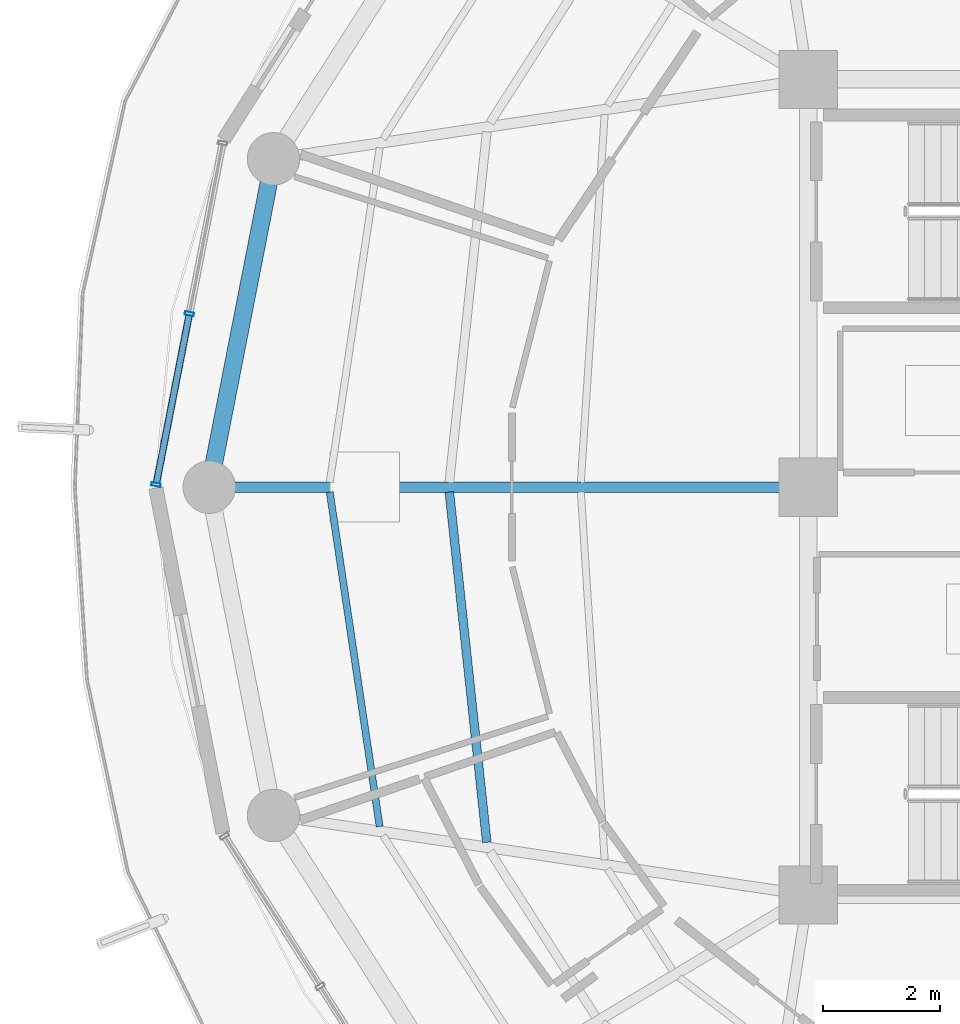
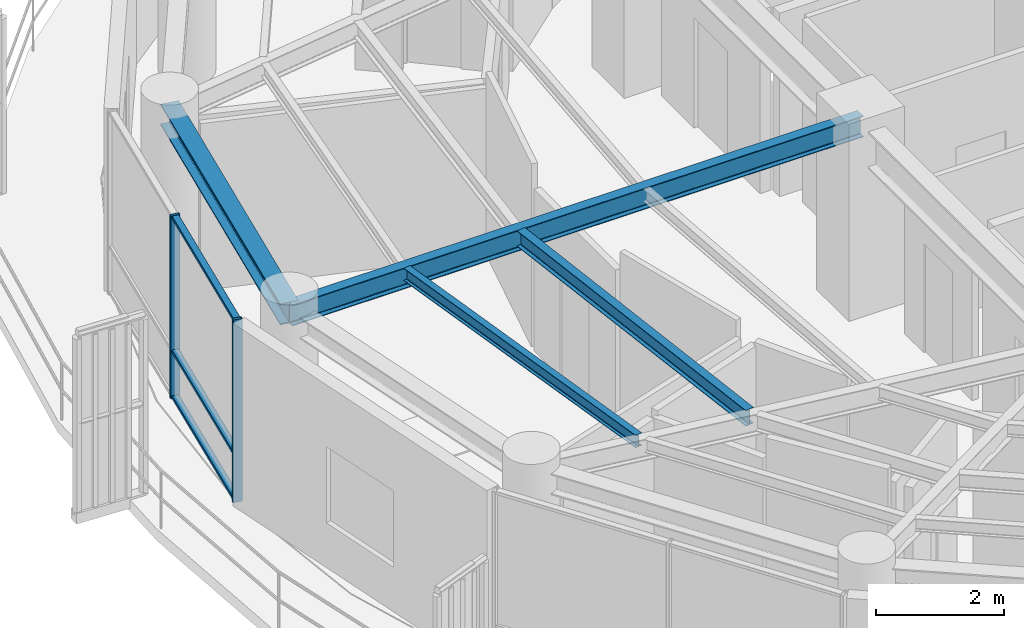
# One storey, part 6 of 23: 5 members, 4 beams, 1 element without a shape of its own.
"""IFC4 building model written with IfcOpenShell, lengths in metres."""

from ifc_helpers import new_model, si_unit, direction, frame, origin, origin_2d, place, context, subcontext, project, spatial, hollow_rectangle, i_section, extrude, material, layer, layer_set, material_profile, profile_set, type_object, element, aggregate, save


model = new_model("IFC4")

# Units and contexts
model_context = context("Model", 3, precision=1e-05, world=origin(), true_north=direction((0.0, 1.0)))
body_context = subcontext(model_context, "Body", "Model", "MODEL_VIEW")
ifc_project = project(units=[si_unit("LENGTHUNIT", "METRE"), si_unit("AREAUNIT", "SQUARE_METRE"), si_unit("VOLUMEUNIT", "CUBIC_METRE"), si_unit("PLANEANGLEUNIT", "RADIAN"), si_unit("MASSUNIT", "GRAM", prefix="KILO")], contexts=[model_context])

# Site, building, storey
site_placement = place(None, origin())
site = spatial("IfcSite", under=ifc_project, at=site_placement, CompositionType="ELEMENT")
building_placement = place(site_placement, origin())
building = spatial("IfcBuilding", under=site, at=building_placement, Name="Kelanora Arch Commons", CompositionType="ELEMENT")
storey_placement = place(building_placement, frame((0.0, 0.0, 278.699951171875)))
storey = spatial("IfcBuildingStorey", under=building, at=storey_placement, Name="L71", CompositionType="ELEMENT", Elevation=278.699951171875)

# Beams
ifc_material_1 = material(Name="Steel S355", Category="steel")
ifc_material_profile_1 = material_profile(ifc_material_1, i_section(OverallWidth=0.14990234375, OverallDepth=0.300048828125, WebThickness=0.007080078125, FlangeThickness=0.0107421875, FilletRadius=0.014892578125, at=origin_2d()), Name="IPE300")
ifc_profile_set_1 = profile_set([ifc_material_profile_1], Name="Steel S355")
beam_type_1 = type_object("IfcBeamType", Name="BM-JST-01", PredefinedType="JOIST", material=ifc_profile_set_1)
beam_1_placement = place(storey_placement, frame((59.841064453125, 57.91552734375, 3.340087890625), z_axis=(0.106380594087, -0.994325484538, 0.0), x_axis=(0.994325484538, 0.106380594087, 0.0)))
element("IfcBeam", 1, at=beam_1_placement, inside=storey, type_object=beam_type_1, Name="Secondary Chord Joist BJB-18 L71", PredefinedType="JOIST", context=body_context, shape_type="SweptSolid", body=[
    extrude(i_section(OverallWidth=0.14990234375, OverallDepth=0.300048828125, WebThickness=0.007080078125, FlangeThickness=0.0107421875, FilletRadius=0.014892578125, at=origin_2d()), origin(), (0.0, 0.0, 1.0), 6.04736328125),
])
ifc_material_profile_2 = material_profile(ifc_material_1, i_section(OverallWidth=0.1201171875, OverallDepth=0.239990234375, WebThickness=0.006103515625, FlangeThickness=0.009765625, FilletRadius=0.014892578125, at=origin_2d()), Name="IPE240")
ifc_profile_set_2 = profile_set([ifc_material_profile_2], Name="Steel S355")
beam_type_2 = type_object("IfcBeamType", Name="BM-JST-02", PredefinedType="JOIST", material=ifc_profile_set_2)
beam_2_placement = place(storey_placement, frame((57.78857421875, 57.916015625, 3.3701171875), z_axis=(0.14762470282, -0.989043450571, 0.0), x_axis=(0.989043450571, 0.14762470282, 0.0)))
element("IfcBeam", 2, at=beam_2_placement, inside=storey, type_object=beam_type_2, Name="Secondary Chord Joist BJC-18 L71", PredefinedType="JOIST", context=body_context, shape_type="SweptSolid", body=[
    extrude(i_section(OverallWidth=0.1201171875, OverallDepth=0.239990234375, WebThickness=0.006103515625, FlangeThickness=0.009765625, FilletRadius=0.014892578125, at=origin_2d()), origin(), (0.0, 0.0, 1.0), 5.804931640625),
])
ifc_material_profile_3 = material_profile(ifc_material_1, i_section(OverallWidth=0.179931640625, OverallDepth=0.39990234375, WebThickness=0.008544921875, FlangeThickness=0.013427734375, FilletRadius=0.02099609375, at=origin_2d()), Name="IPE400")
ifc_profile_set_3 = profile_set([ifc_material_profile_3], Name="Steel S355")
beam_type_3 = type_object("IfcBeamType", Name="BM-RAD-Z5", PredefinedType="BEAM", material=ifc_profile_set_3)
beam_3_placement = place(storey_placement, frame((66.0, 58.0, 3.2900390625), z_axis=(-1.0, 0.0, 0.0), x_axis=(0.0, -1.0, 0.0)))
element("IfcBeam", 3, at=beam_3_placement, inside=storey, type_object=beam_type_3, Name="Radial Floor Girder BR-18 L71", PredefinedType="BEAM", context=body_context, shape_type="SweptSolid", body=[
    extrude(i_section(OverallWidth=0.179931640625, OverallDepth=0.39990234375, WebThickness=0.008544921875, FlangeThickness=0.013427734375, FilletRadius=0.02099609375, at=origin_2d()), origin(), (0.0, 0.0, 1.0), 10.280029296875),
])
ifc_material_profile_4 = material_profile(ifc_material_1, i_section(OverallWidth=0.300048828125, OverallDepth=0.39990234375, WebThickness=0.013427734375, FlangeThickness=0.02392578125, FilletRadius=0.027099609375, at=origin_2d()), Name="HEB400")
ifc_profile_set_4 = profile_set([ifc_material_profile_4], Name="Steel S355")
beam_type_4 = type_object("IfcBeamType", Name="BM-SPN-Z4", PredefinedType="SPANDREL", material=ifc_profile_set_4)
beam_4_placement = place(storey_placement, frame((56.822509765625, 63.636474609375, 3.2900390625), z_axis=(-0.191969774604, -0.981400838413, 0.0), x_axis=(0.981400838413, -0.191969774604, 0.0)))
element("IfcBeam", 4, at=beam_4_placement, inside=storey, type_object=beam_type_4, Name="Perimeter Spandrel Beam BS-16 L71", PredefinedType="SPANDREL", context=body_context, shape_type="SweptSolid", body=[
    extrude(i_section(OverallWidth=0.300048828125, OverallDepth=0.39990234375, WebThickness=0.013427734375, FlangeThickness=0.02392578125, FilletRadius=0.027099609375, at=origin_2d()), origin(), (0.0, 0.0, 1.0), 5.743408203125),
])

# Curtain wall, members
ifc_material_2 = material(Name="Terracotta ceramic-fritted low-E glass and aluminium", Category="masonry")
ifc_layer = layer(ifc_material_2, 0.18994140625)
ifc_layer_set = layer_set([ifc_layer], Name="Terracotta ceramic-fritted low-E glass and aluminium")
curtain_wall_type = type_object("IfcCurtainWallType", Name="CW-SYS-03", PredefinedType="NOTDEFINED", material=ifc_layer_set)
curtain_wall_placement = place(storey_placement, origin())
curtain_wall = element("IfcCurtainWall", 5, at=curtain_wall_placement, inside=storey, type_object=curtain_wall_type, Name="Unitised Curtain Wall L71-B08", PredefinedType="NOTDEFINED")
ifc_material_3 = material(Name="Powder-coated aluminium terracotta", Category="masonry")
ifc_material_profile_5 = material_profile(ifc_material_3, hollow_rectangle(XDim=0.159912109375, YDim=0.06005859375, WallThickness=0.0048828125, InnerFilletRadius=0.0048828125, OuterFilletRadius=0.010009765625, at=origin_2d()), Name="CWM160x60")
ifc_profile_set_5 = profile_set([ifc_material_profile_5], Name="Powder-coated aluminium terracotta")
member_type_1 = type_object("IfcMemberType", Name="CWM-STD", PredefinedType="MULLION", material=ifc_profile_set_5)
member_1_placement = place(storey_placement, frame((55.37890625, 60.9755859375, 0.0), z_axis=(0.0, 0.0, 1.0), x_axis=(0.981595542501, -0.190971701941, 0.0)))
member_1 = element("IfcMember", 6, at=member_1_placement, type_object=member_type_1, Name="CW-03 mullion 2", PredefinedType="MULLION", context=body_context, shape_type="SweptSolid", body=[
    extrude(hollow_rectangle(XDim=0.159912109375, YDim=0.06005859375, WallThickness=0.0048828125, InnerFilletRadius=0.0048828125, OuterFilletRadius=0.010009765625, at=origin_2d()), origin(), (0.0, 0.0, 1.0), 3.47509765625),
])
member_2_placement = place(storey_placement, frame((54.80859375, 58.044189453125, 0.0), z_axis=(0.0, 0.0, 1.0), x_axis=(0.981595542501, -0.190971701941, 0.0)))
member_2 = element("IfcMember", 7, at=member_2_placement, type_object=member_type_1, Name="CW-03 mullion 3", PredefinedType="MULLION", context=body_context, shape_type="SweptSolid", body=[
    extrude(hollow_rectangle(XDim=0.159912109375, YDim=0.06005859375, WallThickness=0.0048828125, InnerFilletRadius=0.0048828125, OuterFilletRadius=0.010009765625, at=origin_2d()), origin(), (0.0, 0.0, 1.0), 3.47509765625),
])
ifc_material_profile_6 = material_profile(ifc_material_3, hollow_rectangle(XDim=0.1201171875, YDim=0.06005859375, WallThickness=0.0048828125, InnerFilletRadius=0.0048828125, OuterFilletRadius=0.010009765625, at=origin_2d()), Name="CWT120x60")
ifc_profile_set_6 = profile_set([ifc_material_profile_6], Name="Powder-coated aluminium terracotta")
member_type_2 = type_object("IfcMemberType", Name="CWT-STD", PredefinedType="USERDEFINED", material=ifc_profile_set_6)
member_3_placement = place(storey_placement, frame((55.373291015625, 60.946044921875, 0.030029296875), z_axis=(-0.190963443354, -0.981597149192, 0.0), x_axis=(0.981597149192, -0.190963443354, 0.0)))
member_3 = element("IfcMember", 8, at=member_3_placement, type_object=member_type_2, Name="CW-03 transom 2.1", ObjectType="TRANSOM", PredefinedType="USERDEFINED", context=body_context, shape_type="SweptSolid", body=[
    extrude(hollow_rectangle(XDim=0.1201171875, YDim=0.06005859375, WallThickness=0.0048828125, InnerFilletRadius=0.0048828125, OuterFilletRadius=0.010009765625, at=origin_2d()), origin(), (0.0, 0.0, 1.0), 2.926513671875),
])
member_4_placement = place(storey_placement, frame((55.373291015625, 60.946044921875, 0.900146484375), z_axis=(-0.190963443354, -0.981597149192, 0.0), x_axis=(0.981597149192, -0.190963443354, 0.0)))
member_4 = element("IfcMember", 9, at=member_4_placement, type_object=member_type_2, Name="CW-03 transom 2.2", ObjectType="TRANSOM", PredefinedType="USERDEFINED", context=body_context, shape_type="SweptSolid", body=[
    extrude(hollow_rectangle(XDim=0.1201171875, YDim=0.06005859375, WallThickness=0.0048828125, InnerFilletRadius=0.0048828125, OuterFilletRadius=0.010009765625, at=origin_2d()), origin(), (0.0, 0.0, 1.0), 2.926513671875),
])
member_5_placement = place(storey_placement, frame((55.373291015625, 60.946044921875, 3.445068359375), z_axis=(-0.190963443354, -0.981597149192, 0.0), x_axis=(0.981597149192, -0.190963443354, 0.0)))
member_5 = element("IfcMember", 10, at=member_5_placement, type_object=member_type_2, Name="CW-03 transom 2.3", ObjectType="TRANSOM", PredefinedType="USERDEFINED", context=body_context, shape_type="SweptSolid", body=[
    extrude(hollow_rectangle(XDim=0.1201171875, YDim=0.06005859375, WallThickness=0.0048828125, InnerFilletRadius=0.0048828125, OuterFilletRadius=0.010009765625, at=origin_2d()), origin(), (0.0, 0.0, 1.0), 2.926513671875),
])
aggregate(curtain_wall, [member_1, member_2, member_3, member_4, member_5])

save(model, "model.ifc")
